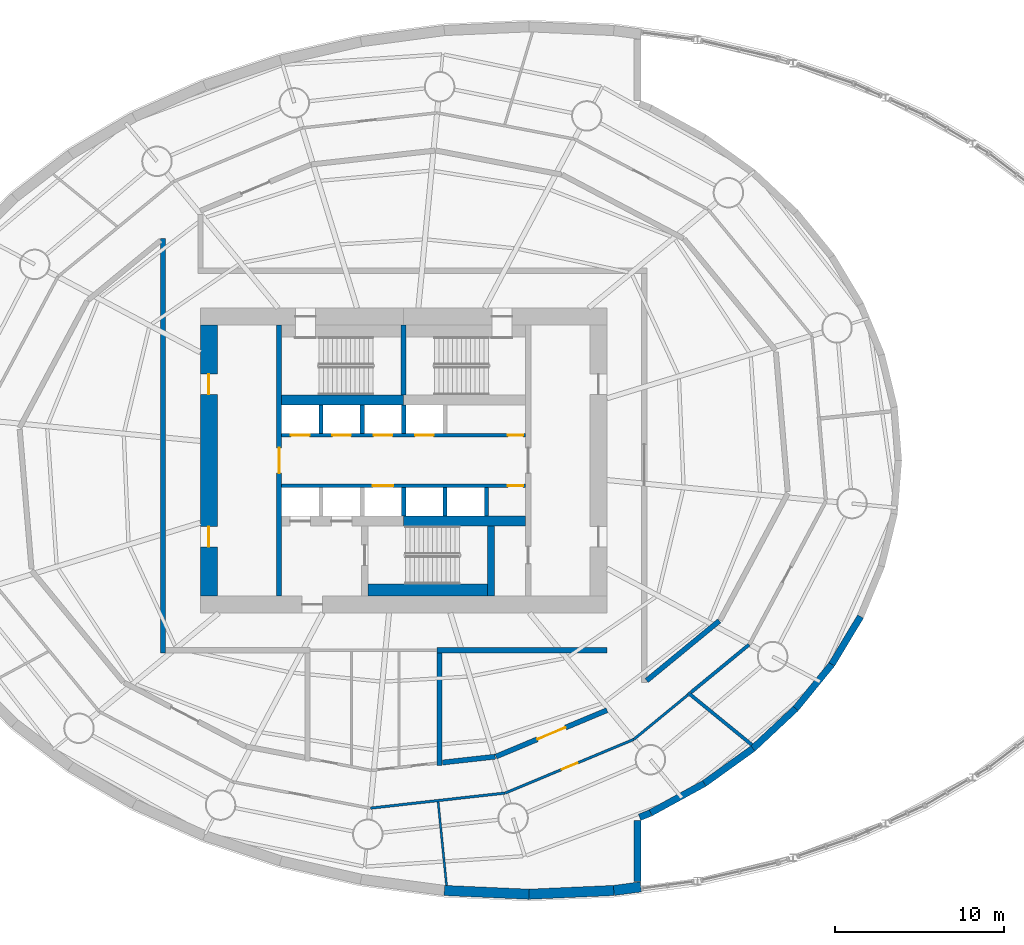
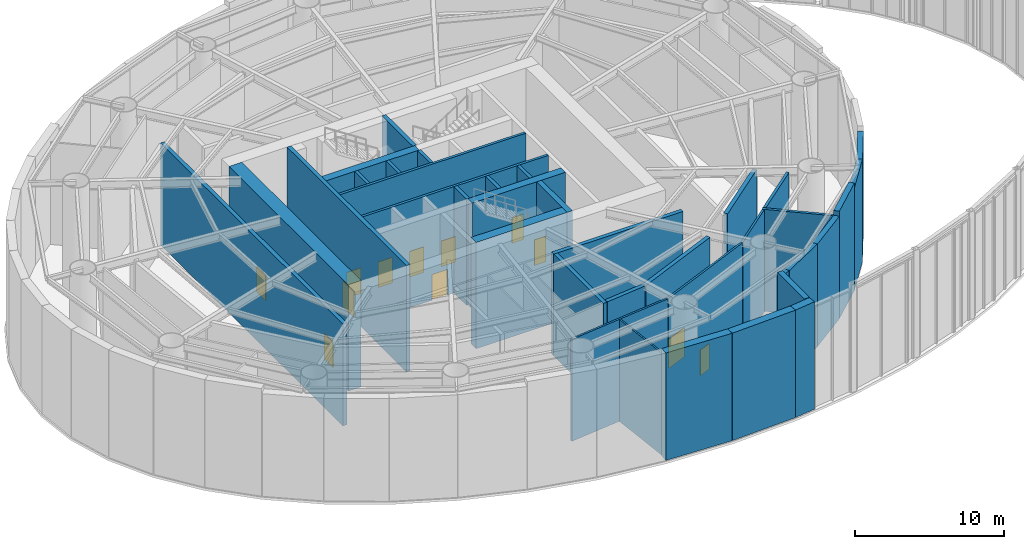
# One storey, part 15 of 19: 37 walls, 12 doors, 12 openings.
"""IFC4 building model written with IfcOpenShell, lengths in metres."""

import ifcopenshell
import ifcopenshell.guid

model = None  # the IFC model being written
_history = None  # IfcOwnerHistory: only IFC2X3 demands one
_inside = {}  # id of a spatial element -> (the spatial element, [elements in it])
_under = {}  # id of a project, library or spatial element -> (it, [spatial elements below it])
_declared = {}  # id of a project -> (the project, [libraries it declares])
_typed = {}  # id of a type object -> (the type object, [elements of that type])
_made_of = {}  # id of a material, layer set ... -> (it, [elements and type objects made of it])


def new_model(schema):
    """Start an empty IFC model of exactly this schema.

    Asked for "IFC4X3", IfcOpenShell would pick the latest addendum, in which some entities
    have other attributes; the version numbers below select the first issue.
    IFC2X3 requires an IfcOwnerHistory on every rooted entity: one is made here for all.
    """
    global model, _history
    if schema == "IFC4X3":
        model = ifcopenshell.file(schema_version=(4, 3, 0, 0))
    else:
        model = ifcopenshell.file(schema=schema)
    _inside.clear()
    _under.clear()
    _declared.clear()
    _typed.clear()
    _made_of.clear()
    _history = None
    if model.schema == "IFC2X3":
        org = make("IfcOrganization", Name="unknown")
        user = make(
            "IfcPersonAndOrganization",
            ThePerson=make("IfcPerson", FamilyName="unknown"),
            TheOrganization=org,
        )
        app = make(
            "IfcApplication",
            ApplicationDeveloper=org,
            Version="unknown",
            ApplicationFullName="unknown",
            ApplicationIdentifier="unknown",
        )
        _history = make(
            "IfcOwnerHistory",
            OwningUser=user,
            OwningApplication=app,
            ChangeAction="ADDED",
            CreationDate=0,
        )
    return model


def make(cls, **values):
    """One entity of the class cls with the attributes given. An attribute that is None is left unset."""
    return model.create_entity(
        cls, **{name: value for name, value in values.items() if value is not None}
    )


def rooted(cls, **values):
    """An entity with a GlobalId (a new one), such as an element, a storey or a relation."""
    return make(cls, GlobalId=ifcopenshell.guid.new(), OwnerHistory=_history, **values)


def si_unit(unit_type, name, prefix=None):
    """IfcSIUnit, for example si_unit("LENGTHUNIT", "METRE", prefix="MILLI")."""
    return make("IfcSIUnit", UnitType=unit_type, Prefix=prefix, Name=name)


def assignment(units):
    """IfcUnitAssignment: the units of a project."""
    return None if units is None else make("IfcUnitAssignment", Units=units)


def point(xyz):
    """IfcCartesianPoint."""
    return None if xyz is None else make("IfcCartesianPoint", Coordinates=xyz)


def direction(xyz):
    """IfcDirection."""
    return None if xyz is None else make("IfcDirection", DirectionRatios=xyz)


def frame(location, z_axis=None, x_axis=None):
    """IfcAxis2Placement3D, a coordinate frame: its origin and axes. An axis left out is left unset."""
    return make(
        "IfcAxis2Placement3D",
        Location=point(location),
        Axis=direction(z_axis),
        RefDirection=direction(x_axis),
    )


def frame_2d(location, x_axis=None):
    """IfcAxis2Placement2D, a coordinate frame in the plane: its origin and x axis."""
    return make(
        "IfcAxis2Placement2D", Location=point(location), RefDirection=direction(x_axis)
    )


def origin():
    """The frame at (0, 0, 0) with its axes left unset."""
    return frame((0.0, 0.0, 0.0))


def place(relative_to, where):
    """IfcLocalPlacement: puts the frame where relative to a parent placement (None: the world)."""
    return make(
        "IfcLocalPlacement", PlacementRelTo=relative_to, RelativePlacement=where
    )


def context(
    kind, dimensions, precision=None, world=None, true_north=None, identifier=None
):
    """IfcGeometricRepresentationContext, for example the 3D "Model" context."""
    return make(
        "IfcGeometricRepresentationContext",
        ContextIdentifier=identifier,
        ContextType=kind,
        CoordinateSpaceDimension=dimensions,
        Precision=precision,
        WorldCoordinateSystem=world,
        TrueNorth=true_north,
    )


def subcontext(parent, identifier, kind, view, scale=None):
    """IfcGeometricRepresentationSubContext, for example "Body" below "Model"."""
    return make(
        "IfcGeometricRepresentationSubContext",
        ContextIdentifier=identifier,
        ContextType=kind,
        ParentContext=parent,
        TargetScale=scale,
        TargetView=view,
    )


def project(units=None, contexts=None):
    """IfcProject with its units and contexts."""
    return rooted(
        "IfcProject",
        Name="project",
        RepresentationContexts=contexts,
        UnitsInContext=assignment(units),
    )


def spatial(cls, under=None, at=None, **own):
    """A site, building, storey or space (cls), placed at a placement, below another one or the project."""
    s = rooted(cls, ObjectPlacement=at, **own)
    if under is not None:
        _under.setdefault(under.id(), (under, []))[1].append(s)
    return s


def profile(cls, at=None, kind="AREA", **sizes):
    """A parametric profile (cls). Its sizes go by their IFC names, for example OverallWidth=200.0."""
    return make(cls, ProfileType=kind, Position=at, **sizes)


def rectangle(**sizes):
    """IfcRectangleProfileDef."""
    return profile("IfcRectangleProfileDef", **sizes)


def extrude(swept, where, along, depth):
    """IfcExtrudedAreaSolid: the profile swept, set in the frame where, extruded along a direction by depth."""
    return make(
        "IfcExtrudedAreaSolid",
        SweptArea=swept,
        Position=where,
        ExtrudedDirection=direction(along),
        Depth=depth,
    )


def shape(context_of_items, identifier, shape_type, items):
    """IfcShapeRepresentation: the items that make up one representation, for example the "Body"."""
    return make(
        "IfcShapeRepresentation",
        ContextOfItems=context_of_items,
        RepresentationIdentifier=identifier,
        RepresentationType=shape_type,
        Items=items,
    )


def material(Name=None, Category=None):
    """IfcMaterial."""
    return make("IfcMaterial", Name=Name, Category=Category)


def layer(
    of_material, thickness, ventilated=None, Name=None, Category=None, Priority=None
):
    """IfcMaterialLayer: one layer of a wall or slab, of a material (None: an air gap)."""
    return make(
        "IfcMaterialLayer",
        Material=of_material,
        LayerThickness=thickness,
        IsVentilated=ventilated,
        Name=Name,
        Category=Category,
        Priority=Priority,
    )


def layer_set(layers, Name=None):
    """IfcMaterialLayerSet."""
    return make("IfcMaterialLayerSet", MaterialLayers=layers, LayerSetName=Name)


def made_of(thing, what):
    """Note that an element or type object is made of a material, layer set ...; save() writes the relation."""
    if what is not None:
        _made_of.setdefault(what.id(), (what, []))[1].append(thing)
    return thing


def type_object(cls, material=None, **own):
    """A type object (cls), such as IfcWallType, which elements share."""
    return made_of(rooted(cls, **own), material)


def element(
    cls,
    number,
    at=None,
    inside=None,
    cuts=None,
    type_object=None,
    material=None,
    context=None,
    identifier="Body",
    shape_type=None,
    held_by="IfcProductDefinitionShape",
    body=None,
    shapes=None,
    **own,
):
    """One element of the class cls, such as IfcWall. Its Tag is "e" and its number.

    at: its placement. inside: the storey or other place that contains it. cuts: it is an
    opening in that element (IfcRelVoidsElement). A single representation is given by context,
    identifier, shape_type and body (its items); several are given by shapes. held_by: the class
    of the entity that holds the representations. save() writes the other relations.
    """
    e = rooted(cls, Tag="e%d" % number, ObjectPlacement=at, **own)
    if body is not None:
        shapes = [shape(context, identifier, shape_type, body)]
    if shapes is not None:
        e.Representation = make(held_by, Representations=shapes)
    if inside is not None:
        _inside.setdefault(inside.id(), (inside, []))[1].append(e)
    if cuts is not None:
        rooted(
            "IfcRelVoidsElement", RelatingBuildingElement=cuts, RelatedOpeningElement=e
        )
    if type_object is not None:
        _typed.setdefault(type_object.id(), (type_object, []))[1].append(e)
    return made_of(e, material)


def fill(opening, filler):
    """IfcRelFillsElement: the door or window that sits in an opening."""
    return rooted(
        "IfcRelFillsElement",
        RelatingOpeningElement=opening,
        RelatedBuildingElement=filler,
    )


def aggregate(whole, parts):
    """IfcRelAggregates: a whole, such as a stair, and the parts it consists of."""
    return rooted("IfcRelAggregates", RelatingObject=whole, RelatedObjects=parts)


def save(model, path):
    """Write the relations noted so far, then the file.

    IfcRelAggregates (storeys below a building ...), IfcRelContainedInSpatialStructure (elements
    in a storey), IfcRelDefinesByType, IfcRelAssociatesMaterial and IfcRelDeclares: one each for
    every whole, place, type object, material and project.
    """
    for whole, parts in _under.values():
        aggregate(whole, parts)
    for where, things in _inside.values():
        rooted(
            "IfcRelContainedInSpatialStructure",
            RelatedElements=things,
            RelatingStructure=where,
        )
    for kind, things in _typed.values():
        rooted("IfcRelDefinesByType", RelatedObjects=things, RelatingType=kind)
    for what, things in _made_of.values():
        rooted("IfcRelAssociatesMaterial", RelatedObjects=things, RelatingMaterial=what)
    for by, libraries in _declared.values():
        rooted("IfcRelDeclares", RelatingContext=by, RelatedDefinitions=libraries)
    model.write(path)


model = new_model("IFC4")

# Units and contexts
model_context = context("Model", 3, precision=1e-05, world=origin(), true_north=direction((0.0, 1.0)))
body_context = subcontext(model_context, "Body", "Model", "MODEL_VIEW")
ifc_project = project(units=[si_unit("LENGTHUNIT", "METRE"), si_unit("AREAUNIT", "SQUARE_METRE"), si_unit("VOLUMEUNIT", "CUBIC_METRE"), si_unit("PLANEANGLEUNIT", "RADIAN"), si_unit("MASSUNIT", "GRAM", prefix="KILO")], contexts=[model_context])

# Site, building, storey
site_placement = place(None, origin())
site = spatial("IfcSite", under=ifc_project, at=site_placement, CompositionType="ELEMENT")
building_placement = place(site_placement, origin())
building = spatial("IfcBuilding", under=site, at=building_placement, Name="Vermilion Reach Broadcast Tower", CompositionType="ELEMENT")
storey_placement = place(building_placement, frame((0.0, 0.0, 8.0)))
storey = spatial("IfcBuildingStorey", under=building, at=storey_placement, Name="L01", CompositionType="ELEMENT", Elevation=8.0)

# Walls
ifc_material_1 = material(Name="Precast concrete C40/50 with acoustic cladding", Category="concrete")
ifc_layer_1 = layer(ifc_material_1, 0.39990234375)
ifc_layer_set_1 = layer_set([ifc_layer_1], Name="Atrium end wall 400")
wall_type_1 = type_object("IfcWallType", Name="Atrium end wall 400", PredefinedType="SOLIDWALL", material=ifc_layer_set_1)
wall_1_placement = place(storey_placement, frame((17.14013671875, -14.639892578125, 0.0), z_axis=(0.0, 0.0, 1.0), x_axis=(-0.730641209912, -0.682761614605, 0.0)))
element("IfcWall", 1, at=wall_1_placement, inside=storey, type_object=wall_type_1, Name="Podium wall L01 dru14", PredefinedType="SOLIDWALL", context=body_context, shape_type="SweptSolid", body=[
    extrude(rectangle(XDim=3.4521484375, YDim=0.39990234375, at=frame_2d((1.72607421875, 0.0))), origin(), (0.0, 0.0, 1.0), 8.800048828125),
])
wall_2_placement = place(storey_placement, frame((7.800048828125, -21.245849609375, 0.0), z_axis=(0.0, 0.0, 1.0), x_axis=(0.0, -1.0, 0.0)))
element("IfcWall", 2, at=wall_2_placement, inside=storey, type_object=wall_type_1, Name="Atrium end wall L01 2", PredefinedType="SOLIDWALL", context=body_context, shape_type="SweptSolid", body=[
    extrude(rectangle(XDim=3.599365234375, YDim=0.39990234375, at=frame_2d((1.7998046875, 0.0))), origin(), (0.0, 0.0, 1.0), 8.800048828125),
])
ifc_material_2 = material(Name="Precast concrete C40/50 with acoustic cladding", Category="concrete")
ifc_layer_2 = layer(ifc_material_2, 0.39990234375)
ifc_layer_set_2 = layer_set([ifc_layer_2], Name="Atrium end wall 400, head 400 below soffit")
wall_type_2 = type_object("IfcWallType", Name="Atrium end wall 400, head 400 below soffit", PredefinedType="SOLIDWALL", material=ifc_layer_set_2)
wall_3_placement = place(storey_placement, frame((20.964111328125, -9.211669921875, 0.0), z_axis=(0.0, 0.0, 1.0), x_axis=(-0.515586767828, -0.856837373625, 0.0)))
element("IfcWall", 3, at=wall_3_placement, inside=storey, type_object=wall_type_2, Name="Podium wall L01 dru12", PredefinedType="SOLIDWALL", context=body_context, shape_type="SweptSolid", body=[
    extrude(rectangle(XDim=3.28955078125, YDim=0.39990234375, at=frame_2d((1.644775390625, 0.0))), origin(), (0.0, 0.0, 1.0), 8.39990234375),
])
wall_4_placement = place(storey_placement, frame((19.26806640625, -12.0302734375, 0.0), z_axis=(0.0, 0.0, 1.0), x_axis=(-0.631953724698, -0.775006122453, 0.0)))
element("IfcWall", 4, at=wall_4_placement, inside=storey, type_object=wall_type_2, Name="Podium wall L01 dru13", PredefinedType="SOLIDWALL", context=body_context, shape_type="SweptSolid", body=[
    extrude(rectangle(XDim=3.3671875, YDim=0.39990234375, at=frame_2d((1.68359375, 0.0))), origin(), (0.0, 0.0, 1.0), 8.39990234375),
])
wall_5_placement = place(storey_placement, frame((14.617919921875, -16.996826171875, 0.0), z_axis=(0.0, 0.0, 1.0), x_axis=(-0.81205624831, -0.583579171648, 0.0)))
element("IfcWall", 5, at=wall_5_placement, inside=storey, type_object=wall_type_2, Name="Podium wall L01 dru15", PredefinedType="SOLIDWALL", context=body_context, shape_type="SweptSolid", body=[
    extrude(rectangle(XDim=3.5380859375, YDim=0.39990234375, at=frame_2d((1.76904296875, 0.0))), origin(), (0.0, 0.0, 1.0), 8.39990234375),
])
wall_6_placement = place(storey_placement, frame((11.744873046875, -19.0615234375, 0.0), z_axis=(0.0, 0.0, 1.0), x_axis=(-0.87711318505, -0.48028372928, 0.0)))
element("IfcWall", 6, at=wall_6_placement, inside=storey, type_object=wall_type_2, Name="Podium wall L01 dru16", PredefinedType="SOLIDWALL", context=body_context, shape_type="SweptSolid", body=[
    extrude(rectangle(XDim=3.61865234375, YDim=0.39990234375, at=frame_2d((1.809326171875, 0.0))), origin(), (0.0, 0.0, 1.0), 8.39990234375),
])
wall_7_placement = place(storey_placement, frame((8.57080078125, -20.799560546875, 0.0), z_axis=(0.0, 0.0, 1.0), x_axis=(-0.927141159757, -0.374712249444, 0.0)))
element("IfcWall", 7, at=wall_7_placement, inside=storey, type_object=wall_type_2, Name="Podium wall L01 dru17", PredefinedType="SOLIDWALL", context=body_context, shape_type="SweptSolid", body=[
    extrude(rectangle(XDim=0.696533203125, YDim=0.39990234375, at=frame_2d((0.34814453125, 0.0))), origin(), (0.0, 0.0, 1.0), 8.39990234375),
])

# Wall, opening, door
ifc_material_3 = material(Name="Concrete C70", Category="concrete")
ifc_layer_3 = layer(ifc_material_3, 0.300048828125)
ifc_layer_set_3 = layer_set([ifc_layer_3], Name="Core inner wall 300 mm Concrete C70")
wall_type_3 = type_object("IfcWallType", Name="Core inner wall 300 mm Concrete C70", PredefinedType="SHEAR", material=ifc_layer_set_3)
wall_8_placement = place(storey_placement, frame((-13.35009765625, 8.0, 0.0), z_axis=(0.0, 0.0, 1.0), x_axis=(0.0, -1.0, 0.0)))
wall_8 = element("IfcWall", 8, at=wall_8_placement, inside=storey, type_object=wall_type_3, Name="L01 core wall ewW", PredefinedType="SHEAR", context=body_context, shape_type="SweptSolid", body=[
    extrude(rectangle(XDim=16.0, YDim=0.300048828125, at=frame_2d((8.0, 0.0))), origin(), (0.0, 0.0, 1.0), 8.699951171875),
])
opening_1_placement = place(wall_8_placement, frame((7.25, 0.0, 0.0)))
opening_1 = element("IfcOpeningElement", 9, at=opening_1_placement, cuts=wall_8, Name="Opening D04", PredefinedType="OPENING", context=body_context, shape_type="SweptSolid", body=[
    extrude(rectangle(XDim=1.5, YDim=2.10009765625, at=frame_2d((0.75, 1.050048828125))), frame((0.0, 0.159912109375, 0.0), z_axis=(0.0, -1.0, 0.0), x_axis=(1.0, 0.0, 0.0)), (0.0, 0.0, 1.0), 0.320068359375),
])
ifc_material_4 = material(Name="Painted steel fire door", Category="steel")
door_type_1 = type_object("IfcDoorType", Name="Lift lobby door 1500 x 2100", OperationType="DOUBLE_DOOR_SINGLE_SWING", PredefinedType="NOTDEFINED", material=ifc_material_4)
door_1_placement = place(opening_1_placement, origin())
door_1 = element("IfcDoor", 10, at=door_1_placement, inside=storey, type_object=door_type_1, Name="L01 band door BW", OperationType="DOUBLE_DOOR_SINGLE_SWING", OverallHeight=2.10009765625, OverallWidth=1.5, PredefinedType="NOTDEFINED", context=body_context, shape_type="SweptSolid", body=[
    extrude(rectangle(XDim=1.5, YDim=2.10009765625, at=frame_2d((0.75, 1.050048828125))), frame((0.0, 0.02490234375, 0.0), z_axis=(0.0, -1.0, 0.0), x_axis=(1.0, 0.0, 0.0)), (0.0, 0.0, 1.0), 0.050048828125),
])
fill(opening_1, door_1)

# Walls
wall_9_placement = place(storey_placement, frame((-6.0, 3.8798828125, 0.0), z_axis=(0.0, 0.0, 1.0), x_axis=(0.0, 1.0, 0.0)))
element("IfcWall", 11, at=wall_9_placement, inside=storey, type_object=wall_type_3, Name="L01 core wall wc", PredefinedType="SHEAR", context=body_context, shape_type="SweptSolid", body=[
    extrude(rectangle(XDim=4.1201171875, YDim=0.300048828125, at=frame_2d((2.06005859375, 0.0))), origin(), (0.0, 0.0, 1.0), 8.699951171875),
])
ifc_material_5 = material(Name="Concrete C70", Category="concrete")
ifc_layer_4 = layer(ifc_material_5, 0.39990234375)
ifc_layer_set_4 = layer_set([ifc_layer_4], Name="Core inner wall 400 mm Concrete C70")
wall_type_4 = type_object("IfcWallType", Name="Core inner wall 400 mm Concrete C70", PredefinedType="SHEAR", material=ifc_layer_set_4)
wall_10_placement = place(storey_placement, frame((-0.85009765625, -3.8798828125, 0.0), z_axis=(0.0, 0.0, 1.0), x_axis=(0.0, -1.0, 0.0)))
element("IfcWall", 12, at=wall_10_placement, inside=storey, type_object=wall_type_4, Name="L01 core wall wb", PredefinedType="SHEAR", context=body_context, shape_type="SweptSolid", body=[
    extrude(rectangle(XDim=4.1201171875, YDim=0.39990234375, at=frame_2d((2.06005859375, 0.0))), origin(), (0.0, 0.0, 1.0), 8.699951171875),
])
ifc_material_6 = material(Name="Concrete C70", Category="concrete")
ifc_layer_5 = layer(ifc_material_6, 0.60009765625)
ifc_layer_set_5 = layer_set([ifc_layer_5], Name="Core inner wall 600 mm Concrete C70")
wall_type_5 = type_object("IfcWallType", Name="Core inner wall 600 mm Concrete C70", PredefinedType="SHEAR", material=ifc_layer_set_5)
for number, where, z_axis, x_axis, name in (
    (13, (-13.199951171875, 3.580078125, 0.0), (0.0, 0.0, 1.0), (1.0, 0.0, 0.0), "L01 core wall winW"),
    (14, (-6.0, -3.580078125, 0.0), (0.0, 0.0, 1.0), (1.0, 0.0, 0.0), "L01 core wall wisE"),
):
    element("IfcWall", number, at=place(storey_placement, frame(where, z_axis=z_axis, x_axis=x_axis)), inside=storey, type_object=wall_type_5, Name=name, PredefinedType="SHEAR", context=body_context, shape_type="SweptSolid", body=[
        extrude(rectangle(XDim=7.199951171875, YDim=0.60009765625, at=frame_2d((3.60009765625, 0.0))), origin(), (0.0, 0.0, 1.0), 8.699951171875),
    ])

# Wall, openings, doors
ifc_material_7 = material(Name="Concrete C70", Category="concrete")
ifc_layer_6 = layer(ifc_material_7, 1.0)
ifc_layer_set_6 = layer_set([ifc_layer_6], Name="Core outer wall 1000 mm Concrete C70")
wall_type_6 = type_object("IfcWallType", Name="Core outer wall 1000 mm Concrete C70", PredefinedType="SHEAR", material=ifc_layer_set_6)
wall_11_placement = place(storey_placement, frame((-17.5, 8.0, 0.0), z_axis=(0.0, 0.0, 1.0), x_axis=(0.0, -1.0, 0.0)))
wall_11 = element("IfcWall", 15, at=wall_11_placement, inside=storey, type_object=wall_type_6, Name="L01 core wall ow", PredefinedType="SHEAR", context=body_context, shape_type="SweptSolid", body=[
    extrude(rectangle(XDim=16.0, YDim=1.0, at=frame_2d((8.0, 0.0))), origin(), (0.0, 0.0, 1.0), 8.699951171875),
])
opening_2_placement = place(wall_11_placement, frame((11.89990234375, 0.0, 0.0)))
opening_2 = element("IfcOpeningElement", 16, at=opening_2_placement, cuts=wall_11, Name="Opening D03", PredefinedType="OPENING", context=body_context, shape_type="SweptSolid", body=[
    extrude(rectangle(XDim=1.199951171875, YDim=2.10009765625, at=frame_2d((0.60009765625, 1.050048828125))), frame((0.0, 0.510009765625, 0.0), z_axis=(0.0, -1.0, 0.0), x_axis=(1.0, 0.0, 0.0)), (0.0, 0.0, 1.0), 1.02001953125),
])
opening_3_placement = place(wall_11_placement, frame((2.89990234375, 0.0, 0.0)))
opening_3 = element("IfcOpeningElement", 17, at=opening_3_placement, cuts=wall_11, Name="Opening D03", PredefinedType="OPENING", context=body_context, shape_type="SweptSolid", body=[
    extrude(rectangle(XDim=1.199951171875, YDim=2.10009765625, at=frame_2d((0.60009765625, 1.050048828125))), frame((0.0, 0.510009765625, 0.0), z_axis=(0.0, -1.0, 0.0), x_axis=(1.0, 0.0, 0.0)), (0.0, 0.0, 1.0), 1.02001953125),
])
ifc_material_8 = material(Name="Painted steel fire door", Category="steel")
door_type_2 = type_object("IfcDoorType", Name="Core lobby door 1200 x 2100", OperationType="DOUBLE_DOOR_SINGLE_SWING", PredefinedType="NOTDEFINED", material=ifc_material_8)
door_2_placement = place(opening_2_placement, origin())
door_2 = element("IfcDoor", 18, at=door_2_placement, inside=storey, type_object=door_type_2, Name="L01 slot door W0", OperationType="DOUBLE_DOOR_SINGLE_SWING", OverallHeight=2.10009765625, OverallWidth=1.199951171875, PredefinedType="NOTDEFINED", context=body_context, shape_type="SweptSolid", body=[
    extrude(rectangle(XDim=1.199951171875, YDim=2.10009765625, at=frame_2d((0.60009765625, 1.050048828125))), frame((0.0, 0.02490234375, 0.0), z_axis=(0.0, -1.0, 0.0), x_axis=(1.0, 0.0, 0.0)), (0.0, 0.0, 1.0), 0.050048828125),
])
fill(opening_2, door_2)
door_3_placement = place(opening_3_placement, origin())
door_3 = element("IfcDoor", 19, at=door_3_placement, inside=storey, type_object=door_type_2, Name="L01 slot door W1", OperationType="DOUBLE_DOOR_SINGLE_SWING", OverallHeight=2.10009765625, OverallWidth=1.199951171875, PredefinedType="NOTDEFINED", context=body_context, shape_type="SweptSolid", body=[
    extrude(rectangle(XDim=1.199951171875, YDim=2.10009765625, at=frame_2d((0.60009765625, 1.050048828125))), frame((0.0, 0.02490234375, 0.0), z_axis=(0.0, -1.0, 0.0), x_axis=(1.0, 0.0, 0.0)), (0.0, 0.0, 1.0), 0.050048828125),
])
fill(opening_3, door_3)

ifc_material_9 = material(Name="Concrete C50", Category="concrete")
ifc_layer_7 = layer(ifc_material_9, 0.199951171875)
ifc_layer_set_7 = layer_set([ifc_layer_7], Name="Core shaft wall 200 mm Concrete C50")
wall_type_7 = type_object("IfcWallType", Name="Core shaft wall 200 mm Concrete C50", PredefinedType="SHEAR", material=ifc_layer_set_7)
wall_12_placement = place(storey_placement, frame((-13.199951171875, 1.5, 0.0), z_axis=(0.0, 0.0, 1.0), x_axis=(1.0, 0.0, 0.0)))
wall_12 = element("IfcWall", 20, at=wall_12_placement, inside=storey, type_object=wall_type_7, Name="L01 core wall fn", PredefinedType="SHEAR", context=body_context, shape_type="SweptSolid", body=[
    extrude(rectangle(XDim=14.39990234375, YDim=0.199951171875, at=frame_2d((7.199951171875, 0.0))), origin(), (0.0, 0.0, 1.0), 8.699951171875),
])
opening_4_placement = place(wall_12_placement, frame((0.5458984375, 0.0, 0.0)))
opening_4 = element("IfcOpeningElement", 21, at=opening_4_placement, cuts=wall_12, Name="Opening LD2", PredefinedType="OPENING", context=body_context, shape_type="SweptSolid", body=[
    extrude(rectangle(XDim=1.10009765625, YDim=2.10009765625, at=frame_2d((0.550048828125, 1.050048828125))), frame((0.0, 0.10986328125, 0.0), z_axis=(0.0, -1.0, 0.0), x_axis=(1.0, 0.0, 0.0)), (0.0, 0.0, 1.0), 0.219970703125),
])
opening_5_placement = place(wall_12_placement, frame((2.987548828125, 0.0, 0.0)))
opening_5 = element("IfcOpeningElement", 22, at=opening_5_placement, cuts=wall_12, Name="Opening LD2", PredefinedType="OPENING", context=body_context, shape_type="SweptSolid", body=[
    extrude(rectangle(XDim=1.10009765625, YDim=2.10009765625, at=frame_2d((0.550048828125, 1.050048828125))), frame((0.0, 0.10986328125, 0.0), z_axis=(0.0, -1.0, 0.0), x_axis=(1.0, 0.0, 0.0)), (0.0, 0.0, 1.0), 0.219970703125),
])
opening_6_placement = place(wall_12_placement, frame((5.42919921875, 0.0, 0.0)))
opening_6 = element("IfcOpeningElement", 23, at=opening_6_placement, cuts=wall_12, Name="Opening LD2", PredefinedType="OPENING", context=body_context, shape_type="SweptSolid", body=[
    extrude(rectangle(XDim=1.10009765625, YDim=2.10009765625, at=frame_2d((0.550048828125, 1.050048828125))), frame((0.0, 0.10986328125, 0.0), z_axis=(0.0, -1.0, 0.0), x_axis=(1.0, 0.0, 0.0)), (0.0, 0.0, 1.0), 0.219970703125),
])
opening_7_placement = place(wall_12_placement, frame((7.870849609375, 0.0, 0.0)))
opening_7 = element("IfcOpeningElement", 24, at=opening_7_placement, cuts=wall_12, Name="Opening LD2", PredefinedType="OPENING", context=body_context, shape_type="SweptSolid", body=[
    extrude(rectangle(XDim=1.10009765625, YDim=2.10009765625, at=frame_2d((0.550048828125, 1.050048828125))), frame((0.0, 0.10986328125, 0.0), z_axis=(0.0, -1.0, 0.0), x_axis=(1.0, 0.0, 0.0)), (0.0, 0.0, 1.0), 0.219970703125),
])
opening_8_placement = place(wall_12_placement, frame((13.35009765625, 0.0, 0.0)))
opening_8 = element("IfcOpeningElement", 25, at=opening_8_placement, cuts=wall_12, Name="Opening D06", PredefinedType="OPENING", context=body_context, shape_type="SweptSolid", body=[
    extrude(rectangle(XDim=0.89990234375, YDim=2.10009765625, at=frame_2d((0.449951171875, 1.050048828125))), frame((0.0, 0.10986328125, 0.0), z_axis=(0.0, -1.0, 0.0), x_axis=(1.0, 0.0, 0.0)), (0.0, 0.0, 1.0), 0.219970703125),
])
ifc_material_10 = material(Name="Stainless steel", Category="steel")
door_type_3 = type_object("IfcDoorType", Name="Landing door 1100 x 2100", OperationType="DOUBLE_DOOR_SLIDING", PredefinedType="NOTDEFINED", material=ifc_material_10)
door_4_placement = place(opening_4_placement, origin())
door_4 = element("IfcDoor", 26, at=door_4_placement, inside=storey, type_object=door_type_3, Name="L01 landing door LR1", OperationType="DOUBLE_DOOR_SLIDING", OverallHeight=2.10009765625, OverallWidth=1.10009765625, PredefinedType="NOTDEFINED", context=body_context, shape_type="SweptSolid", body=[
    extrude(rectangle(XDim=1.10009765625, YDim=2.10009765625, at=frame_2d((0.550048828125, 1.050048828125))), frame((0.0, 0.02490234375, 0.0), z_axis=(0.0, -1.0, 0.0), x_axis=(1.0, 0.0, 0.0)), (0.0, 0.0, 1.0), 0.050048828125),
])
fill(opening_4, door_4)
door_5_placement = place(opening_5_placement, origin())
door_5 = element("IfcDoor", 27, at=door_5_placement, inside=storey, type_object=door_type_3, Name="L01 landing door LR2", OperationType="DOUBLE_DOOR_SLIDING", OverallHeight=2.10009765625, OverallWidth=1.10009765625, PredefinedType="NOTDEFINED", context=body_context, shape_type="SweptSolid", body=[
    extrude(rectangle(XDim=1.10009765625, YDim=2.10009765625, at=frame_2d((0.550048828125, 1.050048828125))), frame((0.0, 0.02490234375, 0.0), z_axis=(0.0, -1.0, 0.0), x_axis=(1.0, 0.0, 0.0)), (0.0, 0.0, 1.0), 0.050048828125),
])
fill(opening_5, door_5)
door_6_placement = place(opening_6_placement, origin())
door_6 = element("IfcDoor", 28, at=door_6_placement, inside=storey, type_object=door_type_3, Name="L01 landing door LR3", OperationType="DOUBLE_DOOR_SLIDING", OverallHeight=2.10009765625, OverallWidth=1.10009765625, PredefinedType="NOTDEFINED", context=body_context, shape_type="SweptSolid", body=[
    extrude(rectangle(XDim=1.10009765625, YDim=2.10009765625, at=frame_2d((0.550048828125, 1.050048828125))), frame((0.0, 0.02490234375, 0.0), z_axis=(0.0, -1.0, 0.0), x_axis=(1.0, 0.0, 0.0)), (0.0, 0.0, 1.0), 0.050048828125),
])
fill(opening_6, door_6)
door_7_placement = place(opening_7_placement, origin())
door_7 = element("IfcDoor", 29, at=door_7_placement, inside=storey, type_object=door_type_3, Name="L01 landing door LR4", OperationType="DOUBLE_DOOR_SLIDING", OverallHeight=2.10009765625, OverallWidth=1.10009765625, PredefinedType="NOTDEFINED", context=body_context, shape_type="SweptSolid", body=[
    extrude(rectangle(XDim=1.10009765625, YDim=2.10009765625, at=frame_2d((0.550048828125, 1.050048828125))), frame((0.0, 0.02490234375, 0.0), z_axis=(0.0, -1.0, 0.0), x_axis=(1.0, 0.0, 0.0)), (0.0, 0.0, 1.0), 0.050048828125),
])
fill(opening_7, door_7)
ifc_material_11 = material(Name="Timber door", Category="wood")
door_type_4 = type_object("IfcDoorType", Name="WC door 900 x 2100", OperationType="NOTDEFINED", PredefinedType="NOTDEFINED", material=ifc_material_11)
door_8_placement = place(opening_8_placement, origin())
door_8 = element("IfcDoor", 30, at=door_8_placement, inside=storey, type_object=door_type_4, Name="L01 door Female WC", OperationType="SINGLE_SWING_RIGHT", OverallHeight=2.10009765625, OverallWidth=0.89990234375, PredefinedType="NOTDEFINED", context=body_context, shape_type="SweptSolid", body=[
    extrude(rectangle(XDim=0.89990234375, YDim=2.10009765625, at=frame_2d((0.449951171875, 1.050048828125))), frame((0.0, 0.02490234375, 0.0), z_axis=(0.0, -1.0, 0.0), x_axis=(1.0, 0.0, 0.0)), (0.0, 0.0, 1.0), 0.050048828125),
])
fill(opening_8, door_8)

wall_13_placement = place(storey_placement, frame((1.199951171875, -1.5, 0.0), z_axis=(0.0, 0.0, 1.0), x_axis=(-1.0, 0.0, 0.0)))
wall_13 = element("IfcWall", 31, at=wall_13_placement, inside=storey, type_object=wall_type_7, Name="L01 core wall fs", PredefinedType="SHEAR", context=body_context, shape_type="SweptSolid", body=[
    extrude(rectangle(XDim=14.39990234375, YDim=0.199951171875, at=frame_2d((7.199951171875, 0.0))), origin(), (0.0, 0.0, 1.0), 8.699951171875),
])
opening_9_placement = place(wall_13_placement, frame((7.82080078125, 0.0, 0.0)))
opening_9 = element("IfcOpeningElement", 32, at=opening_9_placement, cuts=wall_13, Name="Opening LD1", PredefinedType="OPENING", context=body_context, shape_type="SweptSolid", body=[
    extrude(rectangle(XDim=1.199951171875, YDim=2.10009765625, at=frame_2d((0.60009765625, 1.050048828125))), frame((0.0, 0.10986328125, 0.0), z_axis=(0.0, -1.0, 0.0), x_axis=(1.0, 0.0, 0.0)), (0.0, 0.0, 1.0), 0.219970703125),
])
opening_10_placement = place(wall_13_placement, frame((0.14990234375, 0.0, 0.0)))
opening_10 = element("IfcOpeningElement", 33, at=opening_10_placement, cuts=wall_13, Name="Opening D06", PredefinedType="OPENING", context=body_context, shape_type="SweptSolid", body=[
    extrude(rectangle(XDim=0.89990234375, YDim=2.10009765625, at=frame_2d((0.449951171875, 1.050048828125))), frame((0.0, 0.10986328125, 0.0), z_axis=(0.0, -1.0, 0.0), x_axis=(1.0, 0.0, 0.0)), (0.0, 0.0, 1.0), 0.219970703125),
])
ifc_material_12 = material(Name="Stainless steel", Category="steel")
door_type_5 = type_object("IfcDoorType", Name="Landing door 1200 x 2100", OperationType="DOUBLE_DOOR_SLIDING", PredefinedType="NOTDEFINED", material=ifc_material_12)
door_9_placement = place(opening_9_placement, origin())
door_9 = element("IfcDoor", 34, at=door_9_placement, inside=storey, type_object=door_type_5, Name="L01 landing door SV1", OperationType="DOUBLE_DOOR_SLIDING", OverallHeight=2.10009765625, OverallWidth=1.199951171875, PredefinedType="NOTDEFINED", context=body_context, shape_type="SweptSolid", body=[
    extrude(rectangle(XDim=1.199951171875, YDim=2.10009765625, at=frame_2d((0.60009765625, 1.050048828125))), frame((0.0, 0.02490234375, 0.0), z_axis=(0.0, -1.0, 0.0), x_axis=(1.0, 0.0, 0.0)), (0.0, 0.0, 1.0), 0.050048828125),
])
fill(opening_9, door_9)
door_10_placement = place(opening_10_placement, origin())
door_10 = element("IfcDoor", 35, at=door_10_placement, inside=storey, type_object=door_type_4, Name="L01 door Male WC", OperationType="SINGLE_SWING_LEFT", OverallHeight=2.10009765625, OverallWidth=0.89990234375, PredefinedType="NOTDEFINED", context=body_context, shape_type="SweptSolid", body=[
    extrude(rectangle(XDim=0.89990234375, YDim=2.10009765625, at=frame_2d((0.449951171875, 1.050048828125))), frame((0.0, 0.02490234375, 0.0), z_axis=(0.0, -1.0, 0.0), x_axis=(1.0, 0.0, 0.0)), (0.0, 0.0, 1.0), 0.050048828125),
])
fill(opening_10, door_10)

# Walls
ifc_material_13 = material(Name="Concrete C50", Category="concrete")
ifc_layer_8 = layer(ifc_material_13, 0.25)
ifc_layer_set_8 = layer_set([ifc_layer_8], Name="Core shaft wall 250 mm Concrete C50")
wall_type_8 = type_object("IfcWallType", Name="Core shaft wall 250 mm Concrete C50", PredefinedType="SHEAR", material=ifc_layer_set_8)
for number, where, z_axis, x_axis, name in (
    (36, (-10.88330078125, 1.60009765625, 0.0), (0.0, 0.0, 1.0), (0.0, 1.0, 0.0), "L01 core wall psN0"),
    (37, (-8.441650390625, 1.60009765625, 0.0), (0.0, 0.0, 1.0), (0.0, 1.0, 0.0), "L01 core wall psN1"),
    (38, (-6.0, 1.60009765625, 0.0), (0.0, 0.0, 1.0), (0.0, 1.0, 0.0), "L01 core wall psN2"),
    (39, (-6.0, -1.60009765625, 0.0), (0.0, 0.0, 1.0), (0.0, -1.0, 0.0), "L01 core wall psS2"),
    (40, (-3.558349609375, -1.60009765625, 0.0), (0.0, 0.0, 1.0), (0.0, -1.0, 0.0), "L01 core wall psS3"),
    (41, (-1.11669921875, -1.60009765625, 0.0), (0.0, 0.0, 1.0), (0.0, -1.0, 0.0), "L01 core wall psS4"),
):
    element("IfcWall", number, at=place(storey_placement, frame(where, z_axis=z_axis, x_axis=x_axis)), inside=storey, type_object=wall_type_8, Name=name, PredefinedType="SHEAR", context=body_context, shape_type="SweptSolid", body=[
        extrude(rectangle(XDim=1.679931640625, YDim=0.25, at=frame_2d((0.83984375, 0.0))), origin(), (0.0, 0.0, 1.0), 8.699951171875),
    ])
ifc_material_14 = material(Name="Concrete C70", Category="concrete")
ifc_layer_9 = layer(ifc_material_14, 0.699951171875)
ifc_layer_set_9 = layer_set([ifc_layer_9], Name="Core stair wall 700 mm Concrete C70")
wall_type_9 = type_object("IfcWallType", Name="Core stair wall 700 mm Concrete C70", PredefinedType="SHEAR", material=ifc_layer_set_9)
wall_14_placement = place(storey_placement, frame((-8.10009765625, -7.64990234375, 0.0), z_axis=(0.0, 0.0, 1.0), x_axis=(1.0, 0.0, 0.0)))
element("IfcWall", 42, at=wall_14_placement, inside=storey, type_object=wall_type_9, Name="L01 core wall l3", PredefinedType="SHEAR", context=body_context, shape_type="SweptSolid", body=[
    extrude(rectangle(XDim=7.050048828125, YDim=0.699951171875, at=frame_2d((3.52490234375, 0.0))), origin(), (0.0, 0.0, 1.0), 8.699951171875),
])
ifc_material_15 = material(Name="Gypsum board partition")
ifc_layer_10 = layer(ifc_material_15, 0.14990234375)
ifc_layer_set_10 = layer_set([ifc_layer_10], Name="Corridor wall 150")
wall_type_10 = type_object("IfcWallType", Name="Corridor wall 150", PredefinedType="PARTITIONING", material=ifc_layer_set_10)
wall_15_placement = place(storey_placement, frame((-7.94921875, -20.518310546875, 0.0), z_axis=(0.0, 0.0, 1.0), x_axis=(0.993764533241, 0.11149911422, 0.0)))
element("IfcWall", 43, at=wall_15_placement, inside=storey, type_object=wall_type_10, Name="sp.wall.L01.046", PredefinedType="PARTITIONING", context=body_context, shape_type="SweptSolid", body=[
    extrude(rectangle(XDim=7.981201171875, YDim=0.14990234375, at=frame_2d((3.99072265625, 0.0))), origin(), (0.0, 0.0, 1.0), 8.35009765625),
])

# Wall, opening, door
wall_16_placement = place(storey_placement, frame((0.00390625, -19.6259765625, 0.0), z_axis=(0.0, 0.0, 1.0), x_axis=(0.922823237456, 0.385223665436, 0.0)))
wall_16 = element("IfcWall", 44, at=wall_16_placement, inside=storey, type_object=wall_type_10, Name="sp.wall.L01.048", PredefinedType="PARTITIONING", context=body_context, shape_type="SweptSolid", body=[
    extrude(rectangle(XDim=8.20654296875, YDim=0.14990234375, at=frame_2d((4.103271484375, 0.0))), origin(), (0.0, 0.0, 1.0), 8.35009765625),
])
opening_11_placement = place(wall_16_placement, frame((3.603271484375, 0.0, 0.0)))
opening_11 = element("IfcOpeningElement", 45, at=opening_11_placement, cuts=wall_16, Name="Opening D50", PredefinedType="OPENING", context=body_context, shape_type="SweptSolid", body=[
    extrude(rectangle(XDim=1.0, YDim=2.10009765625, at=frame_2d((0.5, 1.050048828125))), frame((0.0, 0.0849609375, 0.0), z_axis=(0.0, -1.0, 0.0), x_axis=(1.0, 0.0, 0.0)), (0.0, 0.0, 1.0), 0.169921875),
])
ifc_material_16 = material(Name="Timber and steel door set", Category="steel")
door_type_6 = type_object("IfcDoorType", Name="Door 1000x2100", OperationType="NOTDEFINED", PredefinedType="DOOR", material=ifc_material_16)
door_11_placement = place(opening_11_placement, origin())
door_11 = element("IfcDoor", 46, at=door_11_placement, inside=storey, type_object=door_type_6, Name="sp.door.L01.010", OperationType="SINGLE_SWING_RIGHT", OverallHeight=2.10009765625, OverallWidth=1.0, PredefinedType="DOOR", context=body_context, shape_type="SweptSolid", body=[
    extrude(rectangle(XDim=1.0, YDim=2.10009765625, at=frame_2d((0.5, 1.050048828125))), frame((0.0, 0.02490234375, 0.0), z_axis=(0.0, -1.0, 0.0), x_axis=(1.0, 0.0, 0.0)), (0.0, 0.0, 1.0), 0.050048828125),
])
fill(opening_11, door_11)

# Walls
wall_17_placement = place(storey_placement, frame((7.594482421875, -16.4501953125, 0.0), z_axis=(0.0, 0.0, 1.0), x_axis=(0.772588776597, 0.634906750851, 0.0)))
element("IfcWall", 47, at=wall_17_placement, inside=storey, type_object=wall_type_10, Name="sp.wall.L01.049", PredefinedType="PARTITIONING", context=body_context, shape_type="SweptSolid", body=[
    extrude(rectangle(XDim=4.106689453125, YDim=0.14990234375, at=frame_2d((2.05322265625, 0.0))), origin(), (0.0, 0.0, 1.0), 8.35009765625),
])
ifc_material_17 = material(Name="Gypsum board partition")
ifc_layer_11 = layer(ifc_material_17, 0.125)
ifc_layer_set_11 = layer_set([ifc_layer_11], Name="Partition 125 plasterboard")
wall_type_11 = type_object("IfcWallType", Name="Partition 125 plasterboard", PredefinedType="PARTITIONING", material=ifc_layer_set_11)
wall_18_placement = place(storey_placement, frame((-3.9677734375, -20.147705078125, 0.0), z_axis=(0.0, 0.0, 1.0), x_axis=(0.100365881287, -0.9949505967, 0.0)))
element("IfcWall", 48, at=wall_18_placement, inside=storey, type_object=wall_type_11, Name="sp.wall.L01.043", PredefinedType="PARTITIONING", context=body_context, shape_type="SweptSolid", body=[
    extrude(rectangle(XDim=4.96240234375, YDim=0.125, at=frame_2d((2.481201171875, 0.0))), origin(), (0.0, 0.0, 1.0), 8.35009765625),
])
ifc_material_18 = material(Name="Gypsum board shaft wall")
ifc_layer_12 = layer(ifc_material_18, 0.199951171875)
ifc_layer_set_12 = layer_set([ifc_layer_12], Name="Plant room wall 200")
wall_type_12 = type_object("IfcWallType", Name="Plant room wall 200", PredefinedType="PARTITIONING", material=ifc_layer_set_12)
wall_19_placement = place(storey_placement, frame((10.7802734375, -13.705078125, 0.0), z_axis=(0.0, 0.0, 1.0), x_axis=(0.774508790893, -0.63256314533, 0.0)))
element("IfcWall", 49, at=wall_19_placement, inside=storey, type_object=wall_type_12, Name="sp.wall.L01.047", PredefinedType="PARTITIONING", context=body_context, shape_type="SweptSolid", body=[
    extrude(rectangle(XDim=4.869140625, YDim=0.199951171875, at=frame_2d((2.4345703125, 0.0))), origin(), (0.0, 0.0, 1.0), 8.35009765625),
])
wall_20_placement = place(storey_placement, frame((10.9521484375, -13.69091796875, 0.0), z_axis=(0.0, 0.0, 1.0), x_axis=(0.772574866308, 0.634923677263, 0.0)))
element("IfcWall", 50, at=wall_20_placement, inside=storey, type_object=wall_type_12, Name="sp.wall.L01.050", PredefinedType="PARTITIONING", context=body_context, shape_type="SweptSolid", body=[
    extrude(rectangle(XDim=4.435791015625, YDim=0.199951171875, at=frame_2d((2.2177734375, 0.0))), origin(), (0.0, 0.0, 1.0), 8.35009765625),
])
ifc_material_19 = material(Name="Precast concrete C40/50 with acoustic cladding", Category="concrete")
ifc_layer_13 = layer(ifc_material_19, 0.60009765625)
ifc_layer_set_13 = layer_set([ifc_layer_13], Name="Podium acoustic wall 600")
wall_type_13 = type_object("IfcWallType", Name="Podium acoustic wall 600", PredefinedType="SOLIDWALL", material=ifc_layer_set_13)
wall_21_placement = place(storey_placement, frame((-3.60302734375, -25.379150390625, 0.0), z_axis=(0.0, 0.0, 1.0), x_axis=(0.999026213515, -0.044120570136, 0.0)))
element("IfcWall", 51, at=wall_21_placement, inside=storey, type_object=wall_type_13, Name="Podium wall L01 str25", PredefinedType="SOLIDWALL", context=body_context, shape_type="SweptSolid", body=[
    extrude(rectangle(XDim=5.0078125, YDim=0.60009765625, at=frame_2d((2.50390625, 0.0))), origin(), (0.0, 0.0, 1.0), 8.800048828125),
])
wall_22_placement = place(storey_placement, frame((1.39990234375, -25.60009765625, 0.0), z_axis=(0.0, 0.0, 1.0), x_axis=(0.99902630841, 0.044118421369, 0.0)))
element("IfcWall", 52, at=wall_22_placement, inside=storey, type_object=wall_type_13, Name="Podium wall L01 str26", PredefinedType="SOLIDWALL", context=body_context, shape_type="SweptSolid", body=[
    extrude(rectangle(XDim=5.008056640625, YDim=0.60009765625, at=frame_2d((2.50390625, 0.0))), origin(), (0.0, 0.0, 1.0), 8.800048828125),
])
wall_23_placement = place(storey_placement, frame((6.403076171875, -25.379150390625, 0.0), z_axis=(0.0, 0.0, 1.0), x_axis=(0.991131029833, 0.132888230112, 0.0)))
element("IfcWall", 53, at=wall_23_placement, inside=storey, type_object=wall_type_13, Name="Podium wall L01 str27", PredefinedType="SOLIDWALL", context=body_context, shape_type="SweptSolid", body=[
    extrude(rectangle(XDim=1.611328125, YDim=0.60009765625, at=frame_2d((0.8056640625, 0.0))), origin(), (0.0, 0.0, 1.0), 8.800048828125),
])
ifc_material_20 = material(Name="Gypsum board double-leaf partition")
ifc_layer_14 = layer(ifc_material_20, 0.300048828125)
ifc_layer_set_14 = layer_set([ifc_layer_14], Name="Studio acoustic wall 300")
wall_type_14 = type_object("IfcWallType", Name="Studio acoustic wall 300", PredefinedType="PARTITIONING", material=ifc_layer_set_14)
wall_24_placement = place(storey_placement, frame((-20.199951171875, -11.35009765625, 0.0), z_axis=(0.0, 0.0, 1.0), x_axis=(0.0, 1.0, 0.0)))
element("IfcWall", 54, at=wall_24_placement, inside=storey, type_object=wall_type_14, Name="sp.wall.L01.002", PredefinedType="PARTITIONING", context=body_context, shape_type="SweptSolid", body=[
    extrude(rectangle(XDim=24.455078125, YDim=0.300048828125, at=frame_2d((12.2275390625, 0.0))), origin(), (0.0, 0.0, 1.0), 8.35009765625),
])
wall_25_placement = place(storey_placement, frame((-4.0244140625, -11.199951171875, 0.0), z_axis=(0.0, 0.0, 1.0), x_axis=(1.0, 0.0, 0.0)))
element("IfcWall", 55, at=wall_25_placement, inside=storey, type_object=wall_type_14, Name="sp.wall.L01.004", PredefinedType="PARTITIONING", context=body_context, shape_type="SweptSolid", body=[
    extrude(rectangle(XDim=10.024658203125, YDim=0.300048828125, at=frame_2d((5.01220703125, 0.0))), origin(), (0.0, 0.0, 1.0), 8.35009765625),
])
wall_26_placement = place(storey_placement, frame((8.341064453125, -12.989013671875, 0.0), z_axis=(0.0, 0.0, 1.0), x_axis=(0.772581343642, 0.634915795564, 0.0)))
element("IfcWall", 56, at=wall_26_placement, inside=storey, type_object=wall_type_14, Name="sp.wall.L01.014", PredefinedType="PARTITIONING", context=body_context, shape_type="SweptSolid", body=[
    extrude(rectangle(XDim=5.549072265625, YDim=0.300048828125, at=frame_2d((2.7744140625, 0.0))), origin(), (0.0, 0.0, 1.0), 8.35009765625),
])
wall_27_placement = place(storey_placement, frame((-3.874267578125, -17.997314453125, 0.0), z_axis=(0.0, 0.0, 1.0), x_axis=(0.0, 1.0, 0.0)))
element("IfcWall", 57, at=wall_27_placement, inside=storey, type_object=wall_type_14, Name="sp.wall.L01.026", PredefinedType="PARTITIONING", context=body_context, shape_type="SweptSolid", body=[
    extrude(rectangle(XDim=6.647216796875, YDim=0.300048828125, at=frame_2d((3.32373046875, 0.0))), origin(), (0.0, 0.0, 1.0), 8.35009765625),
])

# Wall, opening, door
wall_28_placement = place(storey_placement, frame((-0.553466796875, -17.474609375, 0.0), z_axis=(0.0, 0.0, 1.0), x_axis=(0.922815313154, 0.385242647961, 0.0)))
wall_28 = element("IfcWall", 58, at=wall_28_placement, inside=storey, type_object=wall_type_14, Name="sp.wall.L01.027", PredefinedType="PARTITIONING", context=body_context, shape_type="SweptSolid", body=[
    extrude(rectangle(XDim=7.1015625, YDim=0.300048828125, at=frame_2d((3.55078125, 0.0))), origin(), (0.0, 0.0, 1.0), 8.35009765625),
])
opening_12_placement = place(wall_28_placement, frame((2.65087890625, 0.0, 0.0)))
opening_12 = element("IfcOpeningElement", 59, at=opening_12_placement, cuts=wall_28, Name="Opening D52", PredefinedType="OPENING", context=body_context, shape_type="SweptSolid", body=[
    extrude(rectangle(XDim=1.800048828125, YDim=2.39990234375, at=frame_2d((0.89990234375, 1.199951171875))), frame((0.0, 0.159912109375, 0.0), z_axis=(0.0, -1.0, 0.0), x_axis=(1.0, 0.0, 0.0)), (0.0, 0.0, 1.0), 0.320068359375),
])
ifc_material_21 = material(Name="Timber and steel door set", Category="steel")
door_type_7 = type_object("IfcDoorType", Name="Studio sound lock door 1800x2400", OperationType="NOTDEFINED", PredefinedType="DOOR", material=ifc_material_21)
door_12_placement = place(opening_12_placement, origin())
door_12 = element("IfcDoor", 60, at=door_12_placement, inside=storey, type_object=door_type_7, Name="sp.door.L01.005", OperationType="DOUBLE_DOOR_SINGLE_SWING", OverallHeight=2.39990234375, OverallWidth=1.800048828125, PredefinedType="DOOR", context=body_context, shape_type="SweptSolid", body=[
    extrude(rectangle(XDim=1.800048828125, YDim=2.39990234375, at=frame_2d((0.89990234375, 1.199951171875))), frame((0.0, 0.02490234375, 0.0), z_axis=(0.0, -1.0, 0.0), x_axis=(1.0, 0.0, 0.0)), (0.0, 0.0, 1.0), 0.050048828125),
])
fill(opening_12, door_12)

# Wall
wall_29_placement = place(storey_placement, frame((-3.70751953125, -17.82861328125, 0.0), z_axis=(0.0, 0.0, 1.0), x_axis=(0.993760418478, 0.111535781997, 0.0)))
element("IfcWall", 61, at=wall_29_placement, inside=storey, type_object=wall_type_14, Name="sp.wall.L01.028", PredefinedType="PARTITIONING", context=body_context, shape_type="SweptSolid", body=[
    extrude(rectangle(XDim=3.130126953125, YDim=0.300048828125, at=frame_2d((1.56494140625, 0.0))), origin(), (0.0, 0.0, 1.0), 8.35009765625),
])

save(model, "model.ifc")
